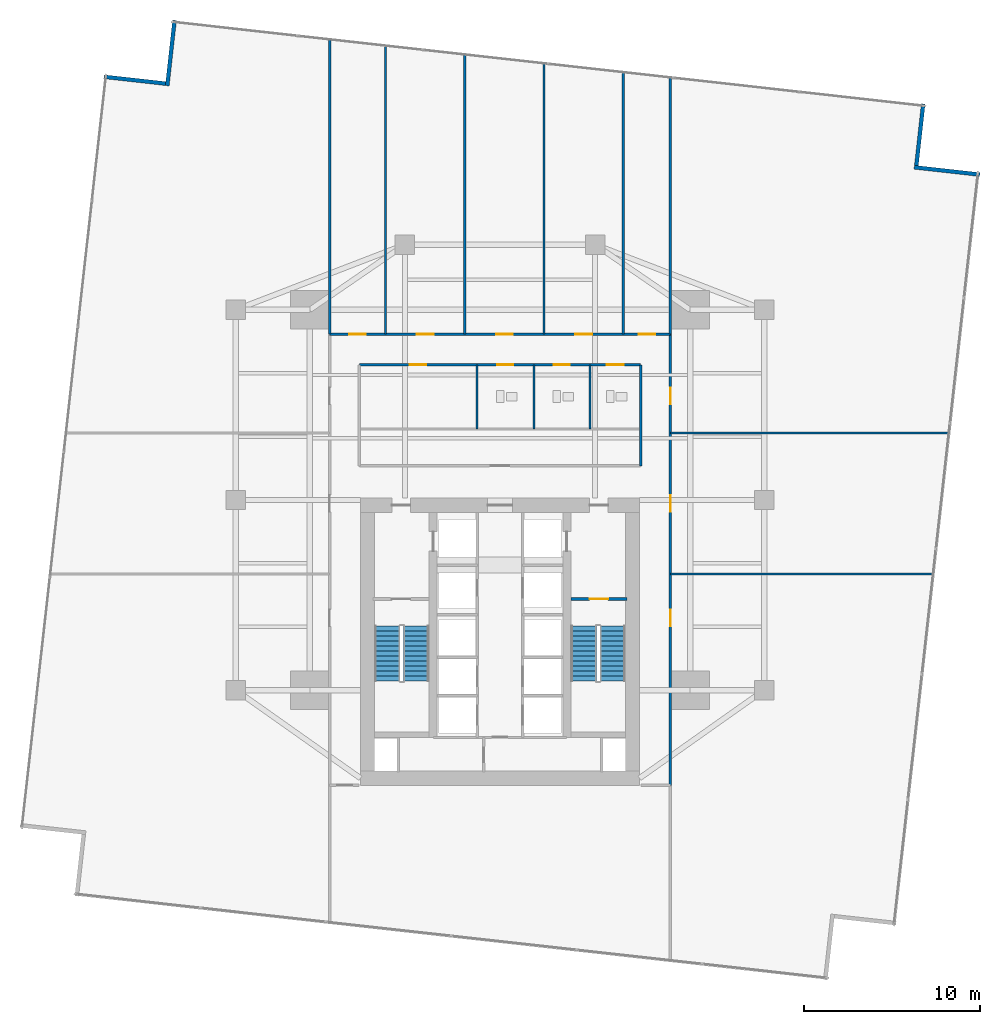
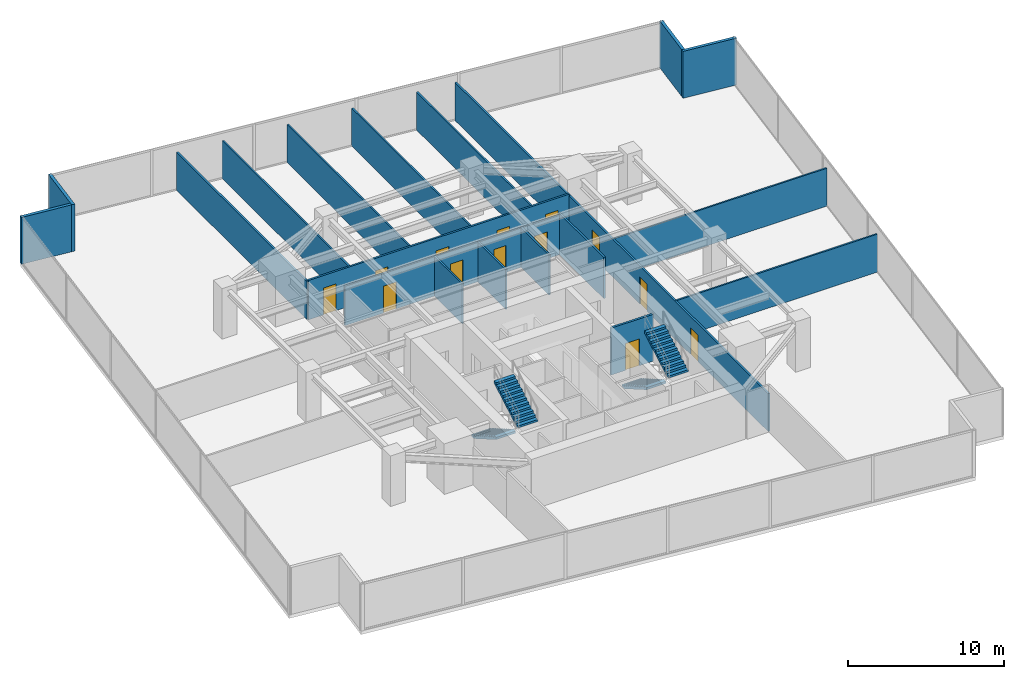
# One storey, part 26 of 28: 20 walls, 13 doors, 4 stair flights, 13 openings, 2 elements without a shape of their own.
"""IFC4 building model written with IfcOpenShell, lengths in metres."""

from ifc_helpers import new_model, si_unit, direction, frame, frame_2d, origin, place, context, subcontext, project, spatial, polyline, rectangle, outline, extrude, material, layer, layer_set, type_object, element, fill, aggregate, save


model = new_model("IFC4")

# Units and contexts
model_context = context("Model", 3, precision=1e-05, world=origin(), true_north=direction((0.0, 1.0)))
body_context = subcontext(model_context, "Body", "Model", "MODEL_VIEW")
ifc_project = project(units=[si_unit("LENGTHUNIT", "METRE"), si_unit("AREAUNIT", "SQUARE_METRE"), si_unit("VOLUMEUNIT", "CUBIC_METRE"), si_unit("PLANEANGLEUNIT", "RADIAN"), si_unit("MASSUNIT", "GRAM", prefix="KILO")], contexts=[model_context])

# Site, building, storey
site_placement = place(None, origin())
site = spatial("IfcSite", under=ifc_project, at=site_placement, CompositionType="ELEMENT")
building_placement = place(site_placement, origin())
building = spatial("IfcBuilding", under=site, at=building_placement, Name="Krantzveldt Concourse Tower", CompositionType="ELEMENT")
storey_placement = place(building_placement, frame((0.0, 0.0, 64.5)))
storey = spatial("IfcBuildingStorey", under=building, at=storey_placement, Name="L15", CompositionType="ELEMENT", Elevation=64.5)

# Walls
ifc_material_1 = material(Name="Anodised aluminium 6063-T6", Category="aluminium")
ifc_layer_1 = layer(ifc_material_1, 0.219970703125, Name="Anodised aluminium 6063-T6", Category="aluminium")
ifc_layer_set_1 = layer_set([ifc_layer_1], Name="Anodised aluminium 6063-T6 (WL-EXT-NOTCH220)")
wall_type_1 = type_object("IfcWallType", Name="WL-EXT-NOTCH220", PredefinedType="ELEMENTEDWALL", material=ifc_layer_set_1)
wall_1_placement = place(storey_placement, frame((17.008056640625, 50.344970703125, 0.0), z_axis=(0.0, 0.0, 1.0), x_axis=(-0.993817675948, 0.111024443135, 0.0)))
element("IfcWall", 1, at=wall_1_placement, inside=storey, type_object=wall_type_1, Name="EW-L15-NCH00", PredefinedType="ELEMENTEDWALL", context=body_context, shape_type="SweptSolid", body=[
    extrude(rectangle(XDim=3.52490234375, YDim=0.219970703125, at=frame_2d((1.762451171875, 0.0))), origin(), (0.0, 0.0, 1.0), 3.669921875),
])
wall_2_placement = place(storey_placement, frame((63.245361328125, 45.178955078125, 0.0), z_axis=(0.0, 0.0, 1.0), x_axis=(-0.99381117716, 0.111082600583, 0.0)))
element("IfcWall", 2, at=wall_2_placement, inside=storey, type_object=wall_type_1, Name="EW-L15-NCH08", PredefinedType="ELEMENTEDWALL", context=body_context, shape_type="SweptSolid", body=[
    extrude(rectangle(XDim=3.7451171875, YDim=0.219970703125, at=frame_2d((1.87255859375, 0.0))), origin(), (0.0, 0.0, 1.0), 3.669921875),
])
wall_3_placement = place(storey_placement, frame((59.64501953125, 45.69189453125, 0.0), z_axis=(0.0, 0.0, 1.0), x_axis=(0.111016801598, 0.993818529593, 0.0)))
element("IfcWall", 3, at=wall_3_placement, inside=storey, type_object=wall_type_1, Name="EW-L15-NCH09", PredefinedType="ELEMENTEDWALL", context=body_context, shape_type="SweptSolid", body=[
    extrude(rectangle(XDim=3.525146484375, YDim=0.219970703125, at=frame_2d((1.7626953125, 0.0))), origin(), (0.0, 0.0, 1.0), 3.669921875),
])
wall_4_placement = place(storey_placement, frame((17.52099609375, 53.9453125, 0.0), z_axis=(0.0, 0.0, 1.0), x_axis=(-0.111082600583, -0.99381117716, 0.0)))
element("IfcWall", 4, at=wall_4_placement, inside=storey, type_object=wall_type_1, Name="EW-L15-NCH11", PredefinedType="ELEMENTEDWALL", context=body_context, shape_type="SweptSolid", body=[
    extrude(rectangle(XDim=3.7451171875, YDim=0.219970703125, at=frame_2d((1.87255859375, 0.0))), origin(), (0.0, 0.0, 1.0), 3.669921875),
])
ifc_material_2 = material(Name="Fire-rated gypsum plasterboard on steel stud", Category="steel")
ifc_layer_2 = layer(ifc_material_2, 0.1201171875, Name="Fire-rated gypsum plasterboard on steel stud", Category="steel")
ifc_layer_set_2 = layer_set([ifc_layer_2], Name="Fire-rated gypsum plasterboard on steel stud (WL-PART-120)")
wall_type_2 = type_object("IfcWallType", Name="WL-PART-120", PredefinedType="PARTITIONING", material=ifc_layer_set_2)
for number, where, z_axis, x_axis, name in (
    (5, (37.919921875, 30.739990234375, 0.0), (0.0, 0.0, 1.0), (0.0, 1.0, 0.0), "WP-L15-WCD1"),
    (6, (41.1201171875, 30.739990234375, 0.0), (0.0, 0.0, 1.0), (0.0, 1.0, 0.0), "WP-L15-WCD2"),
    (7, (34.699951171875, 30.739990234375, 0.0), (0.0, 0.0, 1.0), (0.0, 1.0, 0.0), "WP-L15-WCD3"),
):
    element("IfcWall", number, at=place(storey_placement, frame(where, z_axis=z_axis, x_axis=x_axis)), inside=storey, type_object=wall_type_2, Name=name, PredefinedType="PARTITIONING", context=body_context, shape_type="SweptSolid", body=[
        extrude(rectangle(XDim=3.639892578125, YDim=0.1201171875, at=frame_2d((1.81982421875, 0.0))), origin(), (0.0, 0.0, 1.0), 3.1201171875),
    ])
wall_5_placement = place(storey_placement, frame((29.5, 36.1201171875, 0.0), z_axis=(0.0, 0.0, 1.0), x_axis=(0.0, 1.0, 0.0)))
element("IfcWall", 8, at=wall_5_placement, inside=storey, type_object=wall_type_2, Name="WP-L15-ND1", PredefinedType="PARTITIONING", context=body_context, shape_type="SweptSolid", body=[
    extrude(rectangle(XDim=16.37109375, YDim=0.1201171875, at=frame_2d((8.185546875, 0.0))), origin(), (0.0, 0.0, 1.0), 2.969970703125),
])
wall_6_placement = place(storey_placement, frame((34.0, 36.1201171875, 0.0), z_axis=(0.0, 0.0, 1.0), x_axis=(0.0, 1.0, 0.0)))
element("IfcWall", 9, at=wall_6_placement, inside=storey, type_object=wall_type_2, Name="WP-L15-ND2", PredefinedType="PARTITIONING", context=body_context, shape_type="SweptSolid", body=[
    extrude(rectangle(XDim=15.8681640625, YDim=0.1201171875, at=frame_2d((7.93408203125, 0.0))), origin(), (0.0, 0.0, 1.0), 2.969970703125),
])
wall_7_placement = place(storey_placement, frame((38.5, 36.1201171875, 0.0), z_axis=(0.0, 0.0, 1.0), x_axis=(0.0, 1.0, 0.0)))
element("IfcWall", 10, at=wall_7_placement, inside=storey, type_object=wall_type_2, Name="WP-L15-ND3", PredefinedType="PARTITIONING", context=body_context, shape_type="SweptSolid", body=[
    extrude(rectangle(XDim=15.365478515625, YDim=0.1201171875, at=frame_2d((7.6826171875, 0.0))), origin(), (0.0, 0.0, 1.0), 2.969970703125),
])
wall_8_placement = place(storey_placement, frame((43.0, 36.1201171875, 0.0), z_axis=(0.0, 0.0, 1.0), x_axis=(0.0, 1.0, 0.0)))
element("IfcWall", 11, at=wall_8_placement, inside=storey, type_object=wall_type_2, Name="WP-L15-ND4", PredefinedType="PARTITIONING", context=body_context, shape_type="SweptSolid", body=[
    extrude(rectangle(XDim=14.86279296875, YDim=0.1201171875, at=frame_2d((7.431396484375, 0.0))), origin(), (0.0, 0.0, 1.0), 2.969970703125),
])
wall_9_placement = place(storey_placement, frame((45.679931640625, 22.5, 0.0), z_axis=(0.0, 0.0, 1.0), x_axis=(1.0, 0.0, 0.0)))
element("IfcWall", 12, at=wall_9_placement, inside=storey, type_object=wall_type_2, Name="WP-L15-ED1", PredefinedType="PARTITIONING", context=body_context, shape_type="SweptSolid", body=[
    extrude(rectangle(XDim=14.915771484375, YDim=0.1201171875, at=frame_2d((7.4580078125, 0.0))), origin(), (0.0, 0.0, 1.0), 2.969970703125),
])
wall_10_placement = place(storey_placement, frame((45.679931640625, 30.5, 0.0), z_axis=(0.0, 0.0, 1.0), x_axis=(1.0, 0.0, 0.0)))
element("IfcWall", 13, at=wall_10_placement, inside=storey, type_object=wall_type_2, Name="WP-L15-ED2", PredefinedType="PARTITIONING", context=body_context, shape_type="SweptSolid", body=[
    extrude(rectangle(XDim=15.8095703125, YDim=0.1201171875, at=frame_2d((7.90478515625, 0.0))), origin(), (0.0, 0.0, 1.0), 2.969970703125),
])

# Wall, openings, doors
ifc_layer_3 = layer(ifc_material_2, 0.139892578125, Name="Fire-rated gypsum plasterboard on steel stud", Category="steel")
ifc_layer_set_3 = layer_set([ifc_layer_3], Name="Fire-rated gypsum plasterboard on steel stud (WL-PART-140)")
wall_type_3 = type_object("IfcWallType", Name="WL-PART-140", PredefinedType="PARTITIONING", material=ifc_layer_set_3)
wall_11_placement = place(storey_placement, frame((28.02001953125, 34.3798828125, 0.0), z_axis=(0.0, 0.0, 1.0), x_axis=(1.0, 0.0, 0.0)))
wall_11 = element("IfcWall", 14, at=wall_11_placement, inside=storey, type_object=wall_type_3, Name="WP-L15-ISLN", PredefinedType="PARTITIONING", context=body_context, shape_type="SweptSolid", body=[
    extrude(rectangle(XDim=15.9599609375, YDim=0.139892578125, at=frame_2d((7.97998046875, 0.0))), origin(), (0.0, 0.0, 1.0), 3.080078125),
])
opening_1_placement = place(wall_11_placement, frame((7.830078125, 0.0, 0.0)))
opening_1 = element("IfcOpeningElement", 15, at=opening_1_placement, cuts=wall_11, Name="Opening D-IN090", PredefinedType="OPENING", context=body_context, shape_type="SweptSolid", body=[
    extrude(rectangle(XDim=0.89990234375, YDim=2.10009765625, at=frame_2d((0.449951171875, 1.050048828125))), frame((0.0, 0.080078125, 0.0), z_axis=(0.0, -1.0, 0.0), x_axis=(1.0, 0.0, 0.0)), (0.0, 0.0, 1.0), 0.159912109375),
])
opening_2_placement = place(wall_11_placement, frame((11.030029296875, 0.0, 0.0)))
opening_2 = element("IfcOpeningElement", 16, at=opening_2_placement, cuts=wall_11, Name="Opening D-IN090", PredefinedType="OPENING", context=body_context, shape_type="SweptSolid", body=[
    extrude(rectangle(XDim=0.89990234375, YDim=2.10009765625, at=frame_2d((0.449951171875, 1.050048828125))), frame((0.0, 0.080078125, 0.0), z_axis=(0.0, -1.0, 0.0), x_axis=(1.0, 0.0, 0.0)), (0.0, 0.0, 1.0), 0.159912109375),
])
opening_3_placement = place(wall_11_placement, frame((14.054931640625, 0.0, 0.0)))
opening_3 = element("IfcOpeningElement", 17, at=opening_3_placement, cuts=wall_11, Name="Opening D-IN095", PredefinedType="OPENING", context=body_context, shape_type="SweptSolid", body=[
    extrude(rectangle(XDim=0.949951171875, YDim=2.10009765625, at=frame_2d((0.47509765625, 1.050048828125))), frame((0.0, 0.080078125, 0.0), z_axis=(0.0, -1.0, 0.0), x_axis=(1.0, 0.0, 0.0)), (0.0, 0.0, 1.0), 0.159912109375),
])
opening_4_placement = place(wall_11_placement, frame((2.85498046875, 0.0, 0.0)))
opening_4 = element("IfcOpeningElement", 18, at=opening_4_placement, cuts=wall_11, Name="Opening D-IN095", PredefinedType="OPENING", context=body_context, shape_type="SweptSolid", body=[
    extrude(rectangle(XDim=0.949951171875, YDim=2.10009765625, at=frame_2d((0.47509765625, 1.050048828125))), frame((0.0, 0.080078125, 0.0), z_axis=(0.0, -1.0, 0.0), x_axis=(1.0, 0.0, 0.0)), (0.0, 0.0, 1.0), 0.159912109375),
])
ifc_material_3 = material(Name="Hardwood timber", Category="wood")
door_type_1 = type_object("IfcDoorType", Name="DR-INT-900", OperationType="SINGLE_SWING_LEFT", PredefinedType="DOOR", material=ifc_material_3)
door_1_placement = place(opening_1_placement, origin())
door_1 = element("IfcDoor", 19, at=door_1_placement, inside=storey, type_object=door_type_1, Name="DR-L15-WCM", OperationType="SINGLE_SWING_LEFT", OverallHeight=2.10009765625, OverallWidth=0.89990234375, PredefinedType="DOOR", context=body_context, shape_type="SweptSolid", body=[
    extrude(rectangle(XDim=0.89990234375, YDim=2.10009765625, at=frame_2d((0.449951171875, 1.050048828125))), frame((0.0, 0.02490234375, 0.0), z_axis=(0.0, -1.0, 0.0), x_axis=(1.0, 0.0, 0.0)), (0.0, 0.0, 1.0), 0.050048828125),
])
fill(opening_1, door_1)
door_2_placement = place(opening_2_placement, origin())
door_2 = element("IfcDoor", 20, at=door_2_placement, inside=storey, type_object=door_type_1, Name="DR-L15-WCF", OperationType="SINGLE_SWING_RIGHT", OverallHeight=2.10009765625, OverallWidth=0.89990234375, PredefinedType="DOOR", context=body_context, shape_type="SweptSolid", body=[
    extrude(rectangle(XDim=0.89990234375, YDim=2.10009765625, at=frame_2d((0.449951171875, 1.050048828125))), frame((0.0, 0.02490234375, 0.0), z_axis=(0.0, -1.0, 0.0), x_axis=(1.0, 0.0, 0.0)), (0.0, 0.0, 1.0), 0.050048828125),
])
fill(opening_2, door_2)
door_type_2 = type_object("IfcDoorType", Name="DR-INT-950", OperationType="SINGLE_SWING_LEFT", PredefinedType="DOOR", material=ifc_material_3)
door_3_placement = place(opening_3_placement, origin())
door_3 = element("IfcDoor", 21, at=door_3_placement, inside=storey, type_object=door_type_2, Name="DR-L15-WCA", OperationType="SINGLE_SWING_LEFT", OverallHeight=2.10009765625, OverallWidth=0.949951171875, PredefinedType="DOOR", context=body_context, shape_type="SweptSolid", body=[
    extrude(rectangle(XDim=0.949951171875, YDim=2.10009765625, at=frame_2d((0.47509765625, 1.050048828125))), frame((0.0, 0.02490234375, 0.0), z_axis=(0.0, -1.0, 0.0), x_axis=(1.0, 0.0, 0.0)), (0.0, 0.0, 1.0), 0.050048828125),
])
fill(opening_3, door_3)
door_4_placement = place(opening_4_placement, origin())
door_4 = element("IfcDoor", 22, at=door_4_placement, inside=storey, type_object=door_type_2, Name="DR-L15-PNT", OperationType="SINGLE_SWING_RIGHT", OverallHeight=2.10009765625, OverallWidth=0.949951171875, PredefinedType="DOOR", context=body_context, shape_type="SweptSolid", body=[
    extrude(rectangle(XDim=0.949951171875, YDim=2.10009765625, at=frame_2d((0.47509765625, 1.050048828125))), frame((0.0, 0.02490234375, 0.0), z_axis=(0.0, -1.0, 0.0), x_axis=(1.0, 0.0, 0.0)), (0.0, 0.0, 1.0), 0.050048828125),
])
fill(opening_4, door_4)

# Wall
wall_12_placement = place(storey_placement, frame((43.97998046875, 28.639892578125, 0.0), z_axis=(0.0, 0.0, 1.0), x_axis=(0.0, 1.0, 0.0)))
element("IfcWall", 23, at=wall_12_placement, inside=storey, type_object=wall_type_3, Name="WP-L15-ISLE", PredefinedType="PARTITIONING", context=body_context, shape_type="SweptSolid", body=[
    extrude(rectangle(XDim=5.739990234375, YDim=0.139892578125, at=frame_2d((2.8701171875, 0.0))), origin(), (0.0, 0.0, 1.0), 3.219970703125),
])

# Wall, openings, doors
wall_13_placement = place(storey_placement, frame((26.320068359375, 36.1201171875, 0.0), z_axis=(0.0, 0.0, 1.0), x_axis=(1.0, 0.0, 0.0)))
wall_13 = element("IfcWall", 24, at=wall_13_placement, inside=storey, type_object=wall_type_3, Name="WP-L15-CTOP", PredefinedType="PARTITIONING", context=body_context, shape_type="SweptSolid", body=[
    extrude(rectangle(XDim=19.35986328125, YDim=0.139892578125, at=frame_2d((9.679931640625, 0.0))), origin(), (0.0, 0.0, 1.0), 3.080078125),
])
opening_5_placement = place(wall_13_placement, frame((1.114990234375, 0.0, 0.0)))
opening_5 = element("IfcOpeningElement", 25, at=opening_5_placement, cuts=wall_13, Name="Opening D-IN095", PredefinedType="OPENING", context=body_context, shape_type="SweptSolid", body=[
    extrude(rectangle(XDim=0.949951171875, YDim=2.10009765625, at=frame_2d((0.47509765625, 1.050048828125))), frame((0.0, 0.080078125, 0.0), z_axis=(0.0, -1.0, 0.0), x_axis=(1.0, 0.0, 0.0)), (0.0, 0.0, 1.0), 0.159912109375),
])
opening_6_placement = place(wall_13_placement, frame((4.955078125, 0.0, 0.0)))
opening_6 = element("IfcOpeningElement", 26, at=opening_6_placement, cuts=wall_13, Name="Opening D-IN095", PredefinedType="OPENING", context=body_context, shape_type="SweptSolid", body=[
    extrude(rectangle(XDim=0.949951171875, YDim=2.10009765625, at=frame_2d((0.47509765625, 1.050048828125))), frame((0.0, 0.080078125, 0.0), z_axis=(0.0, -1.0, 0.0), x_axis=(1.0, 0.0, 0.0)), (0.0, 0.0, 1.0), 0.159912109375),
])
opening_7_placement = place(wall_13_placement, frame((9.455078125, 0.0, 0.0)))
opening_7 = element("IfcOpeningElement", 27, at=opening_7_placement, cuts=wall_13, Name="Opening D-IN095", PredefinedType="OPENING", context=body_context, shape_type="SweptSolid", body=[
    extrude(rectangle(XDim=0.949951171875, YDim=2.10009765625, at=frame_2d((0.47509765625, 1.050048828125))), frame((0.0, 0.080078125, 0.0), z_axis=(0.0, -1.0, 0.0), x_axis=(1.0, 0.0, 0.0)), (0.0, 0.0, 1.0), 0.159912109375),
])
opening_8_placement = place(wall_13_placement, frame((13.955078125, 0.0, 0.0)))
opening_8 = element("IfcOpeningElement", 28, at=opening_8_placement, cuts=wall_13, Name="Opening D-IN095", PredefinedType="OPENING", context=body_context, shape_type="SweptSolid", body=[
    extrude(rectangle(XDim=0.949951171875, YDim=2.10009765625, at=frame_2d((0.47509765625, 1.050048828125))), frame((0.0, 0.080078125, 0.0), z_axis=(0.0, -1.0, 0.0), x_axis=(1.0, 0.0, 0.0)), (0.0, 0.0, 1.0), 0.159912109375),
])
opening_9_placement = place(wall_13_placement, frame((17.544921875, 0.0, 0.0)))
opening_9 = element("IfcOpeningElement", 29, at=opening_9_placement, cuts=wall_13, Name="Opening D-IN095", PredefinedType="OPENING", context=body_context, shape_type="SweptSolid", body=[
    extrude(rectangle(XDim=0.949951171875, YDim=2.10009765625, at=frame_2d((0.47509765625, 1.050048828125))), frame((0.0, 0.080078125, 0.0), z_axis=(0.0, -1.0, 0.0), x_axis=(1.0, 0.0, 0.0)), (0.0, 0.0, 1.0), 0.159912109375),
])
door_5_placement = place(opening_5_placement, origin())
door_5 = element("IfcDoor", 30, at=door_5_placement, inside=storey, type_object=door_type_2, Name="DR-L15-NR1", OperationType="SINGLE_SWING_LEFT", OverallHeight=2.10009765625, OverallWidth=0.949951171875, PredefinedType="DOOR", context=body_context, shape_type="SweptSolid", body=[
    extrude(rectangle(XDim=0.949951171875, YDim=2.10009765625, at=frame_2d((0.47509765625, 1.050048828125))), frame((0.0, 0.02490234375, 0.0), z_axis=(0.0, -1.0, 0.0), x_axis=(1.0, 0.0, 0.0)), (0.0, 0.0, 1.0), 0.050048828125),
])
fill(opening_5, door_5)
door_6_placement = place(opening_6_placement, origin())
door_6 = element("IfcDoor", 31, at=door_6_placement, inside=storey, type_object=door_type_2, Name="DR-L15-NR2", OperationType="SINGLE_SWING_LEFT", OverallHeight=2.10009765625, OverallWidth=0.949951171875, PredefinedType="DOOR", context=body_context, shape_type="SweptSolid", body=[
    extrude(rectangle(XDim=0.949951171875, YDim=2.10009765625, at=frame_2d((0.47509765625, 1.050048828125))), frame((0.0, 0.02490234375, 0.0), z_axis=(0.0, -1.0, 0.0), x_axis=(1.0, 0.0, 0.0)), (0.0, 0.0, 1.0), 0.050048828125),
])
fill(opening_6, door_6)
door_7_placement = place(opening_7_placement, origin())
door_7 = element("IfcDoor", 32, at=door_7_placement, inside=storey, type_object=door_type_2, Name="DR-L15-NR3", OperationType="SINGLE_SWING_LEFT", OverallHeight=2.10009765625, OverallWidth=0.949951171875, PredefinedType="DOOR", context=body_context, shape_type="SweptSolid", body=[
    extrude(rectangle(XDim=0.949951171875, YDim=2.10009765625, at=frame_2d((0.47509765625, 1.050048828125))), frame((0.0, 0.02490234375, 0.0), z_axis=(0.0, -1.0, 0.0), x_axis=(1.0, 0.0, 0.0)), (0.0, 0.0, 1.0), 0.050048828125),
])
fill(opening_7, door_7)
door_8_placement = place(opening_8_placement, origin())
door_8 = element("IfcDoor", 33, at=door_8_placement, inside=storey, type_object=door_type_2, Name="DR-L15-NR4", OperationType="SINGLE_SWING_LEFT", OverallHeight=2.10009765625, OverallWidth=0.949951171875, PredefinedType="DOOR", context=body_context, shape_type="SweptSolid", body=[
    extrude(rectangle(XDim=0.949951171875, YDim=2.10009765625, at=frame_2d((0.47509765625, 1.050048828125))), frame((0.0, 0.02490234375, 0.0), z_axis=(0.0, -1.0, 0.0), x_axis=(1.0, 0.0, 0.0)), (0.0, 0.0, 1.0), 0.050048828125),
])
fill(opening_8, door_8)
door_9_placement = place(opening_9_placement, origin())
door_9 = element("IfcDoor", 34, at=door_9_placement, inside=storey, type_object=door_type_2, Name="DR-L15-NR5", OperationType="SINGLE_SWING_LEFT", OverallHeight=2.10009765625, OverallWidth=0.949951171875, PredefinedType="DOOR", context=body_context, shape_type="SweptSolid", body=[
    extrude(rectangle(XDim=0.949951171875, YDim=2.10009765625, at=frame_2d((0.47509765625, 1.050048828125))), frame((0.0, 0.02490234375, 0.0), z_axis=(0.0, -1.0, 0.0), x_axis=(1.0, 0.0, 0.0)), (0.0, 0.0, 1.0), 0.050048828125),
])
fill(opening_9, door_9)

wall_14_placement = place(storey_placement, frame((45.679931640625, 10.5, 0.0), z_axis=(0.0, 0.0, 1.0), x_axis=(0.0, 1.0, 0.0)))
wall_14 = element("IfcWall", 35, at=wall_14_placement, inside=storey, type_object=wall_type_3, Name="WP-L15-CEAST", PredefinedType="PARTITIONING", context=body_context, shape_type="SweptSolid", body=[
    extrude(rectangle(XDim=25.6201171875, YDim=0.139892578125, at=frame_2d((12.81005859375, 0.0))), origin(), (0.0, 0.0, 1.0), 2.969970703125),
])
opening_10_placement = place(wall_14_placement, frame((9.02490234375, 0.0, 0.0)))
opening_10 = element("IfcOpeningElement", 36, at=opening_10_placement, cuts=wall_14, Name="Opening D-IN095", PredefinedType="OPENING", context=body_context, shape_type="SweptSolid", body=[
    extrude(rectangle(XDim=0.949951171875, YDim=2.10009765625, at=frame_2d((0.47509765625, 1.050048828125))), frame((0.0, 0.080078125, 0.0), z_axis=(0.0, -1.0, 0.0), x_axis=(1.0, 0.0, 0.0)), (0.0, 0.0, 1.0), 0.159912109375),
])
opening_11_placement = place(wall_14_placement, frame((15.52490234375, 0.0, 0.0)))
opening_11 = element("IfcOpeningElement", 37, at=opening_11_placement, cuts=wall_14, Name="Opening D-IN095", PredefinedType="OPENING", context=body_context, shape_type="SweptSolid", body=[
    extrude(rectangle(XDim=0.949951171875, YDim=2.10009765625, at=frame_2d((0.47509765625, 1.050048828125))), frame((0.0, 0.080078125, 0.0), z_axis=(0.0, -1.0, 0.0), x_axis=(1.0, 0.0, 0.0)), (0.0, 0.0, 1.0), 0.159912109375),
])
opening_12_placement = place(wall_14_placement, frame((21.625, 0.0, 0.0)))
opening_12 = element("IfcOpeningElement", 38, at=opening_12_placement, cuts=wall_14, Name="Opening D-IN095", PredefinedType="OPENING", context=body_context, shape_type="SweptSolid", body=[
    extrude(rectangle(XDim=0.949951171875, YDim=2.10009765625, at=frame_2d((0.47509765625, 1.050048828125))), frame((0.0, 0.080078125, 0.0), z_axis=(0.0, -1.0, 0.0), x_axis=(1.0, 0.0, 0.0)), (0.0, 0.0, 1.0), 0.159912109375),
])
door_10_placement = place(opening_10_placement, origin())
door_10 = element("IfcDoor", 39, at=door_10_placement, inside=storey, type_object=door_type_2, Name="DR-L15-ER1", OperationType="SINGLE_SWING_LEFT", OverallHeight=2.10009765625, OverallWidth=0.949951171875, PredefinedType="DOOR", context=body_context, shape_type="SweptSolid", body=[
    extrude(rectangle(XDim=0.949951171875, YDim=2.10009765625, at=frame_2d((0.47509765625, 1.050048828125))), frame((0.0, 0.02490234375, 0.0), z_axis=(0.0, -1.0, 0.0), x_axis=(1.0, 0.0, 0.0)), (0.0, 0.0, 1.0), 0.050048828125),
])
fill(opening_10, door_10)
door_11_placement = place(opening_11_placement, origin())
door_11 = element("IfcDoor", 40, at=door_11_placement, inside=storey, type_object=door_type_2, Name="DR-L15-ER2", OperationType="SINGLE_SWING_LEFT", OverallHeight=2.10009765625, OverallWidth=0.949951171875, PredefinedType="DOOR", context=body_context, shape_type="SweptSolid", body=[
    extrude(rectangle(XDim=0.949951171875, YDim=2.10009765625, at=frame_2d((0.47509765625, 1.050048828125))), frame((0.0, 0.02490234375, 0.0), z_axis=(0.0, -1.0, 0.0), x_axis=(1.0, 0.0, 0.0)), (0.0, 0.0, 1.0), 0.050048828125),
])
fill(opening_11, door_11)
door_12_placement = place(opening_12_placement, origin())
door_12 = element("IfcDoor", 41, at=door_12_placement, inside=storey, type_object=door_type_2, Name="DR-L15-ER3", OperationType="SINGLE_SWING_LEFT", OverallHeight=2.10009765625, OverallWidth=0.949951171875, PredefinedType="DOOR", context=body_context, shape_type="SweptSolid", body=[
    extrude(rectangle(XDim=0.949951171875, YDim=2.10009765625, at=frame_2d((0.47509765625, 1.050048828125))), frame((0.0, 0.02490234375, 0.0), z_axis=(0.0, -1.0, 0.0), x_axis=(1.0, 0.0, 0.0)), (0.0, 0.0, 1.0), 0.050048828125),
])
fill(opening_12, door_12)

# Walls
wall_15_placement = place(storey_placement, frame((26.320068359375, 36.1201171875, 0.0), z_axis=(0.0, 0.0, 1.0), x_axis=(0.0, 1.0, 0.0)))
element("IfcWall", 42, at=wall_15_placement, inside=storey, type_object=wall_type_3, Name="WP-L15-NWL", PredefinedType="PARTITIONING", context=body_context, shape_type="SweptSolid", body=[
    extrude(rectangle(XDim=16.726318359375, YDim=0.139892578125, at=frame_2d((8.36328125, 0.0))), origin(), (0.0, 0.0, 1.0), 2.969970703125),
])
wall_16_placement = place(storey_placement, frame((45.679931640625, 36.1201171875, 0.0), z_axis=(0.0, 0.0, 1.0), x_axis=(0.0, 1.0, 0.0)))
element("IfcWall", 43, at=wall_16_placement, inside=storey, type_object=wall_type_3, Name="WP-L15-NER", PredefinedType="PARTITIONING", context=body_context, shape_type="SweptSolid", body=[
    extrude(rectangle(XDim=14.5634765625, YDim=0.139892578125, at=frame_2d((7.28173828125, 0.0))), origin(), (0.0, 0.0, 1.0), 2.969970703125),
])

# Wall, opening, door
ifc_layer_4 = layer(ifc_material_2, 0.159912109375, Name="Fire-rated gypsum plasterboard on steel stud", Category="steel")
ifc_layer_set_4 = layer_set([ifc_layer_4], Name="Fire-rated gypsum plasterboard on steel stud (WL-PART-FR160)")
wall_type_4 = type_object("IfcWallType", Name="WL-PART-FR160", PredefinedType="PARTITIONING", material=ifc_layer_set_4)
wall_17_placement = place(storey_placement, frame((40.0400390625, 21.080078125, 0.0), z_axis=(0.0, 0.0, 1.0), x_axis=(1.0, 0.0, 0.0)))
wall_17 = element("IfcWall", 44, at=wall_17_placement, inside=storey, type_object=wall_type_4, Name="WP-L15-ST2", PredefinedType="PARTITIONING", context=body_context, shape_type="SweptSolid", body=[
    extrude(rectangle(XDim=3.159912109375, YDim=0.159912109375, at=frame_2d((1.580078125, 0.0))), origin(), (0.0, 0.0, 1.0), 3.669921875),
])
opening_13_placement = place(wall_17_placement, frame((1.054931640625, 0.0, 0.0)))
opening_13 = element("IfcOpeningElement", 45, at=opening_13_placement, cuts=wall_17, Name="Opening D-FD105", PredefinedType="OPENING", context=body_context, shape_type="SweptSolid", body=[
    extrude(rectangle(XDim=1.050048828125, YDim=2.10009765625, at=frame_2d((0.52490234375, 1.050048828125))), frame((0.0, 0.08984375, 0.0), z_axis=(0.0, -1.0, 0.0), x_axis=(1.0, 0.0, 0.0)), (0.0, 0.0, 1.0), 0.179931640625),
])
ifc_material_4 = material(Name="Galvanised steel", Category="steel")
door_type_3 = type_object("IfcDoorType", Name="DR-FD120-1050", OperationType="SINGLE_SWING_LEFT", PredefinedType="DOOR", material=ifc_material_4)
door_13_placement = place(opening_13_placement, origin())
door_13 = element("IfcDoor", 46, at=door_13_placement, inside=storey, type_object=door_type_3, Name="DR-L15-ST2", OperationType="SINGLE_SWING_LEFT", OverallHeight=2.10009765625, OverallWidth=1.050048828125, PredefinedType="DOOR", context=body_context, shape_type="SweptSolid", body=[
    extrude(rectangle(XDim=1.050048828125, YDim=2.10009765625, at=frame_2d((0.52490234375, 1.050048828125))), frame((0.0, 0.02490234375, 0.0), z_axis=(0.0, -1.0, 0.0), x_axis=(1.0, 0.0, 0.0)), (0.0, 0.0, 1.0), 0.050048828125),
])
fill(opening_13, door_13)

# Stair, stair flights
ifc_material_5 = material(Name="Precast concrete C40/50", Category="concrete")
stair_type = type_object("IfcStairType", Name="STR-CORE-DOGLEG", PredefinedType="HALF_TURN_STAIR", material=ifc_material_5)
stair_1_placement = place(storey_placement, origin())
stair_1 = element("IfcStair", 47, at=stair_1_placement, inside=storey, type_object=stair_type, Name="L15 Protected Escape Stair ST-1", PredefinedType="HALF_TURN_STAIR")
stair_flight_type = type_object("IfcStairFlightType", Name="STF-CORE-1450", PredefinedType="STRAIGHT", material=ifc_material_5)
stair_flight_1_placement = place(storey_placement, frame((29.60498046875, 19.550048828125, 0.0), z_axis=(0.0, 0.0, 1.0), x_axis=(0.0, -1.0, 0.0)))
stair_flight_1 = element("IfcStairFlight", 48, at=stair_flight_1_placement, type_object=stair_flight_type, Name="ST-1 flight 1", NumberOfRisers=12, NumberOfTreads=11, PredefinedType="STRAIGHT", RiserHeight=0.164583333, TreadLength=0.285, context=body_context, shape_type="SweptSolid", body=[
    extrude(outline(polyline([(0.0, 0.0), (0.0, 0.16455078125), (0.284912109375, 0.16455078125), (0.284912109375, 0.3291015625), (0.570068359375, 0.3291015625), (0.570068359375, 0.49365234375), (0.85498046875, 0.49365234375), (0.85498046875, 0.658447265625), (1.139892578125, 0.658447265625), (1.139892578125, 0.822998046875), (1.425048828125, 0.822998046875), (1.425048828125, 0.987548828125), (1.7099609375, 0.987548828125), (1.7099609375, 1.152099609375), (1.9951171875, 1.152099609375), (1.9951171875, 1.316650390625), (2.280029296875, 1.316650390625), (2.280029296875, 1.481201171875), (2.56494140625, 1.481201171875), (2.56494140625, 1.645751953125), (2.85009765625, 1.645751953125), (2.85009765625, 1.810302734375), (3.135009765625, 1.810302734375), (3.135009765625, 1.97509765625), (3.135009765625, 1.63720703125), (0.2998046875, 0.0), (0.0, 0.0)])), frame((0.0, 0.72509765625, 0.0), z_axis=(0.0, -1.0, 0.0), x_axis=(1.0, 0.0, 0.0)), (0.0, 0.0, 1.0), 1.449951171875),
])
stair_flight_2_placement = place(storey_placement, frame((31.2548828125, 16.4150390625, 1.97509765625), z_axis=(0.0, 0.0, 1.0), x_axis=(0.0, 1.0, 0.0)))
stair_flight_2 = element("IfcStairFlight", 49, at=stair_flight_2_placement, type_object=stair_flight_type, Name="ST-1 flight 2", NumberOfRisers=12, NumberOfTreads=11, PredefinedType="STRAIGHT", RiserHeight=0.164583333, TreadLength=0.285, context=body_context, shape_type="SweptSolid", body=[
    extrude(outline(polyline([(0.0, 0.0), (0.0, 0.16455078125), (0.284912109375, 0.16455078125), (0.284912109375, 0.3291015625), (0.570068359375, 0.3291015625), (0.570068359375, 0.49365234375), (0.85498046875, 0.49365234375), (0.85498046875, 0.658447265625), (1.139892578125, 0.658447265625), (1.139892578125, 0.822998046875), (1.425048828125, 0.822998046875), (1.425048828125, 0.987548828125), (1.7099609375, 0.987548828125), (1.7099609375, 1.152099609375), (1.9951171875, 1.152099609375), (1.9951171875, 1.316650390625), (2.280029296875, 1.316650390625), (2.280029296875, 1.481201171875), (2.56494140625, 1.481201171875), (2.56494140625, 1.645751953125), (2.85009765625, 1.645751953125), (2.85009765625, 1.810302734375), (3.135009765625, 1.810302734375), (3.135009765625, 1.97509765625), (3.135009765625, 1.63720703125), (0.2998046875, 0.0), (0.0, 0.0)])), frame((0.0, 0.72509765625, 0.0), z_axis=(0.0, -1.0, 0.0), x_axis=(1.0, 0.0, 0.0)), (0.0, 0.0, 1.0), 1.449951171875),
])
aggregate(stair_1, [stair_flight_1, stair_flight_2])

stair_2_placement = place(storey_placement, origin())
stair_2 = element("IfcStair", 50, at=stair_2_placement, inside=storey, type_object=stair_type, Name="L15 Protected Escape Stair ST-2", PredefinedType="HALF_TURN_STAIR")
stair_flight_3_placement = place(storey_placement, frame((40.7451171875, 19.550048828125, 0.0), z_axis=(0.0, 0.0, 1.0), x_axis=(0.0, -1.0, 0.0)))
stair_flight_3 = element("IfcStairFlight", 51, at=stair_flight_3_placement, type_object=stair_flight_type, Name="ST-2 flight 1", NumberOfRisers=12, NumberOfTreads=11, PredefinedType="STRAIGHT", RiserHeight=0.164583333, TreadLength=0.285, context=body_context, shape_type="SweptSolid", body=[
    extrude(outline(polyline([(0.0, 0.0), (0.0, 0.16455078125), (0.284912109375, 0.16455078125), (0.284912109375, 0.3291015625), (0.570068359375, 0.3291015625), (0.570068359375, 0.49365234375), (0.85498046875, 0.49365234375), (0.85498046875, 0.658447265625), (1.139892578125, 0.658447265625), (1.139892578125, 0.822998046875), (1.425048828125, 0.822998046875), (1.425048828125, 0.987548828125), (1.7099609375, 0.987548828125), (1.7099609375, 1.152099609375), (1.9951171875, 1.152099609375), (1.9951171875, 1.316650390625), (2.280029296875, 1.316650390625), (2.280029296875, 1.481201171875), (2.56494140625, 1.481201171875), (2.56494140625, 1.645751953125), (2.85009765625, 1.645751953125), (2.85009765625, 1.810302734375), (3.135009765625, 1.810302734375), (3.135009765625, 1.97509765625), (3.135009765625, 1.63720703125), (0.2998046875, 0.0), (0.0, 0.0)])), frame((0.0, 0.72509765625, 0.0), z_axis=(0.0, -1.0, 0.0), x_axis=(1.0, 0.0, 0.0)), (0.0, 0.0, 1.0), 1.449951171875),
])
stair_flight_4_placement = place(storey_placement, frame((42.39501953125, 16.4150390625, 1.97509765625), z_axis=(0.0, 0.0, 1.0), x_axis=(0.0, 1.0, 0.0)))
stair_flight_4 = element("IfcStairFlight", 52, at=stair_flight_4_placement, type_object=stair_flight_type, Name="ST-2 flight 2", NumberOfRisers=12, NumberOfTreads=11, PredefinedType="STRAIGHT", RiserHeight=0.164583333, TreadLength=0.285, context=body_context, shape_type="SweptSolid", body=[
    extrude(outline(polyline([(0.0, 0.0), (0.0, 0.16455078125), (0.284912109375, 0.16455078125), (0.284912109375, 0.3291015625), (0.570068359375, 0.3291015625), (0.570068359375, 0.49365234375), (0.85498046875, 0.49365234375), (0.85498046875, 0.658447265625), (1.139892578125, 0.658447265625), (1.139892578125, 0.822998046875), (1.425048828125, 0.822998046875), (1.425048828125, 0.987548828125), (1.7099609375, 0.987548828125), (1.7099609375, 1.152099609375), (1.9951171875, 1.152099609375), (1.9951171875, 1.316650390625), (2.280029296875, 1.316650390625), (2.280029296875, 1.481201171875), (2.56494140625, 1.481201171875), (2.56494140625, 1.645751953125), (2.85009765625, 1.645751953125), (2.85009765625, 1.810302734375), (3.135009765625, 1.810302734375), (3.135009765625, 1.97509765625), (3.135009765625, 1.63720703125), (0.2998046875, 0.0), (0.0, 0.0)])), frame((0.0, 0.72509765625, 0.0), z_axis=(0.0, -1.0, 0.0), x_axis=(1.0, 0.0, 0.0)), (0.0, 0.0, 1.0), 1.449951171875),
])
aggregate(stair_2, [stair_flight_3, stair_flight_4])

save(model, "model.ifc")
